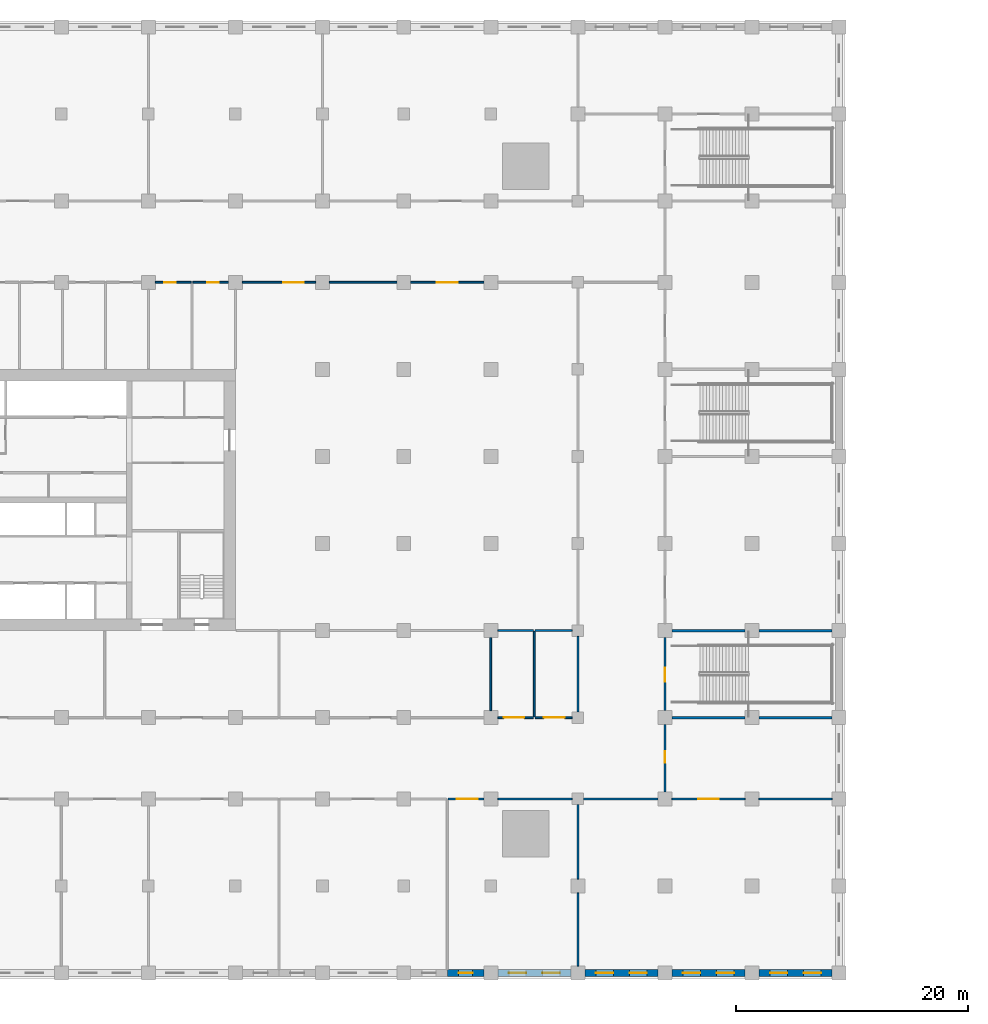
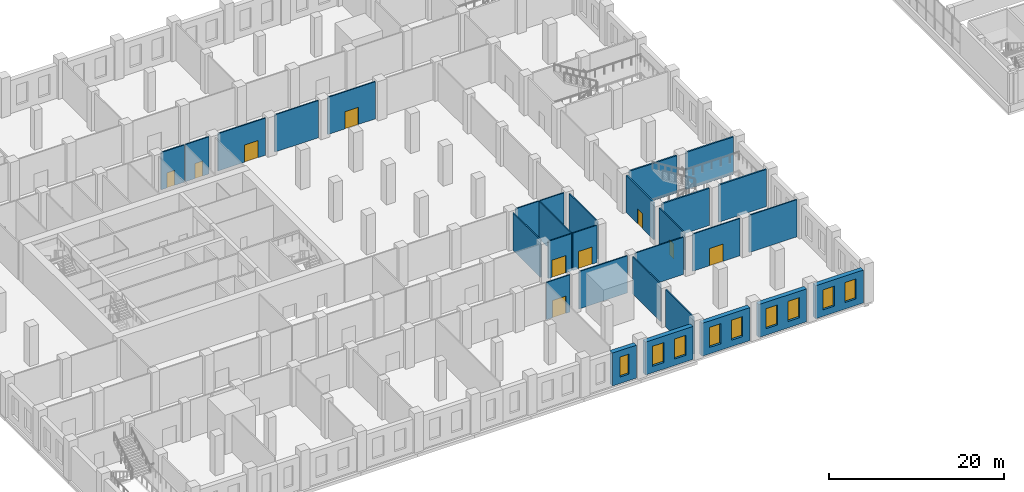
# One storey, part 10 of 35: 30 walls, 10 doors, 9 windows, 19 openings.
"""IFC4 building model written with IfcOpenShell, lengths in metres."""

import ifcopenshell
import ifcopenshell.guid

model = None  # the IFC model being written
_history = None  # IfcOwnerHistory: only IFC2X3 demands one
_inside = {}  # id of a spatial element -> (the spatial element, [elements in it])
_under = {}  # id of a project, library or spatial element -> (it, [spatial elements below it])
_declared = {}  # id of a project -> (the project, [libraries it declares])
_typed = {}  # id of a type object -> (the type object, [elements of that type])
_made_of = {}  # id of a material, layer set ... -> (it, [elements and type objects made of it])


def new_model(schema):
    """Start an empty IFC model of exactly this schema.

    Asked for "IFC4X3", IfcOpenShell would pick the latest addendum, in which some entities
    have other attributes; the version numbers below select the first issue.
    IFC2X3 requires an IfcOwnerHistory on every rooted entity: one is made here for all.
    """
    global model, _history
    if schema == "IFC4X3":
        model = ifcopenshell.file(schema_version=(4, 3, 0, 0))
    else:
        model = ifcopenshell.file(schema=schema)
    _inside.clear()
    _under.clear()
    _declared.clear()
    _typed.clear()
    _made_of.clear()
    _history = None
    if model.schema == "IFC2X3":
        org = make("IfcOrganization", Name="unknown")
        user = make(
            "IfcPersonAndOrganization",
            ThePerson=make("IfcPerson", FamilyName="unknown"),
            TheOrganization=org,
        )
        app = make(
            "IfcApplication",
            ApplicationDeveloper=org,
            Version="unknown",
            ApplicationFullName="unknown",
            ApplicationIdentifier="unknown",
        )
        _history = make(
            "IfcOwnerHistory",
            OwningUser=user,
            OwningApplication=app,
            ChangeAction="ADDED",
            CreationDate=0,
        )
    return model


def make(cls, **values):
    """One entity of the class cls with the attributes given. An attribute that is None is left unset."""
    return model.create_entity(
        cls, **{name: value for name, value in values.items() if value is not None}
    )


def rooted(cls, **values):
    """An entity with a GlobalId (a new one), such as an element, a storey or a relation."""
    return make(cls, GlobalId=ifcopenshell.guid.new(), OwnerHistory=_history, **values)


def si_unit(unit_type, name, prefix=None):
    """IfcSIUnit, for example si_unit("LENGTHUNIT", "METRE", prefix="MILLI")."""
    return make("IfcSIUnit", UnitType=unit_type, Prefix=prefix, Name=name)


def assignment(units):
    """IfcUnitAssignment: the units of a project."""
    return None if units is None else make("IfcUnitAssignment", Units=units)


def point(xyz):
    """IfcCartesianPoint."""
    return None if xyz is None else make("IfcCartesianPoint", Coordinates=xyz)


def direction(xyz):
    """IfcDirection."""
    return None if xyz is None else make("IfcDirection", DirectionRatios=xyz)


def frame(location, z_axis=None, x_axis=None):
    """IfcAxis2Placement3D, a coordinate frame: its origin and axes. An axis left out is left unset."""
    return make(
        "IfcAxis2Placement3D",
        Location=point(location),
        Axis=direction(z_axis),
        RefDirection=direction(x_axis),
    )


def frame_2d(location, x_axis=None):
    """IfcAxis2Placement2D, a coordinate frame in the plane: its origin and x axis."""
    return make(
        "IfcAxis2Placement2D", Location=point(location), RefDirection=direction(x_axis)
    )


def origin():
    """The frame at (0, 0, 0) with its axes left unset."""
    return frame((0.0, 0.0, 0.0))


def place(relative_to, where):
    """IfcLocalPlacement: puts the frame where relative to a parent placement (None: the world)."""
    return make(
        "IfcLocalPlacement", PlacementRelTo=relative_to, RelativePlacement=where
    )


def context(
    kind, dimensions, precision=None, world=None, true_north=None, identifier=None
):
    """IfcGeometricRepresentationContext, for example the 3D "Model" context."""
    return make(
        "IfcGeometricRepresentationContext",
        ContextIdentifier=identifier,
        ContextType=kind,
        CoordinateSpaceDimension=dimensions,
        Precision=precision,
        WorldCoordinateSystem=world,
        TrueNorth=true_north,
    )


def subcontext(parent, identifier, kind, view, scale=None):
    """IfcGeometricRepresentationSubContext, for example "Body" below "Model"."""
    return make(
        "IfcGeometricRepresentationSubContext",
        ContextIdentifier=identifier,
        ContextType=kind,
        ParentContext=parent,
        TargetScale=scale,
        TargetView=view,
    )


def project(units=None, contexts=None):
    """IfcProject with its units and contexts."""
    return rooted(
        "IfcProject",
        Name="project",
        RepresentationContexts=contexts,
        UnitsInContext=assignment(units),
    )


def spatial(cls, under=None, at=None, **own):
    """A site, building, storey or space (cls), placed at a placement, below another one or the project."""
    s = rooted(cls, ObjectPlacement=at, **own)
    if under is not None:
        _under.setdefault(under.id(), (under, []))[1].append(s)
    return s


def profile(cls, at=None, kind="AREA", **sizes):
    """A parametric profile (cls). Its sizes go by their IFC names, for example OverallWidth=200.0."""
    return make(cls, ProfileType=kind, Position=at, **sizes)


def rectangle(**sizes):
    """IfcRectangleProfileDef."""
    return profile("IfcRectangleProfileDef", **sizes)


def extrude(swept, where, along, depth):
    """IfcExtrudedAreaSolid: the profile swept, set in the frame where, extruded along a direction by depth."""
    return make(
        "IfcExtrudedAreaSolid",
        SweptArea=swept,
        Position=where,
        ExtrudedDirection=direction(along),
        Depth=depth,
    )


def shape(context_of_items, identifier, shape_type, items):
    """IfcShapeRepresentation: the items that make up one representation, for example the "Body"."""
    return make(
        "IfcShapeRepresentation",
        ContextOfItems=context_of_items,
        RepresentationIdentifier=identifier,
        RepresentationType=shape_type,
        Items=items,
    )


def material(Name=None, Category=None):
    """IfcMaterial."""
    return make("IfcMaterial", Name=Name, Category=Category)


def layer(
    of_material, thickness, ventilated=None, Name=None, Category=None, Priority=None
):
    """IfcMaterialLayer: one layer of a wall or slab, of a material (None: an air gap)."""
    return make(
        "IfcMaterialLayer",
        Material=of_material,
        LayerThickness=thickness,
        IsVentilated=ventilated,
        Name=Name,
        Category=Category,
        Priority=Priority,
    )


def layer_set(layers, Name=None):
    """IfcMaterialLayerSet."""
    return make("IfcMaterialLayerSet", MaterialLayers=layers, LayerSetName=Name)


def made_of(thing, what):
    """Note that an element or type object is made of a material, layer set ...; save() writes the relation."""
    if what is not None:
        _made_of.setdefault(what.id(), (what, []))[1].append(thing)
    return thing


def type_object(cls, material=None, **own):
    """A type object (cls), such as IfcWallType, which elements share."""
    return made_of(rooted(cls, **own), material)


def element(
    cls,
    number,
    at=None,
    inside=None,
    cuts=None,
    type_object=None,
    material=None,
    context=None,
    identifier="Body",
    shape_type=None,
    held_by="IfcProductDefinitionShape",
    body=None,
    shapes=None,
    **own,
):
    """One element of the class cls, such as IfcWall. Its Tag is "e" and its number.

    at: its placement. inside: the storey or other place that contains it. cuts: it is an
    opening in that element (IfcRelVoidsElement). A single representation is given by context,
    identifier, shape_type and body (its items); several are given by shapes. held_by: the class
    of the entity that holds the representations. save() writes the other relations.
    """
    e = rooted(cls, Tag="e%d" % number, ObjectPlacement=at, **own)
    if body is not None:
        shapes = [shape(context, identifier, shape_type, body)]
    if shapes is not None:
        e.Representation = make(held_by, Representations=shapes)
    if inside is not None:
        _inside.setdefault(inside.id(), (inside, []))[1].append(e)
    if cuts is not None:
        rooted(
            "IfcRelVoidsElement", RelatingBuildingElement=cuts, RelatedOpeningElement=e
        )
    if type_object is not None:
        _typed.setdefault(type_object.id(), (type_object, []))[1].append(e)
    return made_of(e, material)


def fill(opening, filler):
    """IfcRelFillsElement: the door or window that sits in an opening."""
    return rooted(
        "IfcRelFillsElement",
        RelatingOpeningElement=opening,
        RelatedBuildingElement=filler,
    )


def aggregate(whole, parts):
    """IfcRelAggregates: a whole, such as a stair, and the parts it consists of."""
    return rooted("IfcRelAggregates", RelatingObject=whole, RelatedObjects=parts)


def save(model, path):
    """Write the relations noted so far, then the file.

    IfcRelAggregates (storeys below a building ...), IfcRelContainedInSpatialStructure (elements
    in a storey), IfcRelDefinesByType, IfcRelAssociatesMaterial and IfcRelDeclares: one each for
    every whole, place, type object, material and project.
    """
    for whole, parts in _under.values():
        aggregate(whole, parts)
    for where, things in _inside.values():
        rooted(
            "IfcRelContainedInSpatialStructure",
            RelatedElements=things,
            RelatingStructure=where,
        )
    for kind, things in _typed.values():
        rooted("IfcRelDefinesByType", RelatedObjects=things, RelatingType=kind)
    for what, things in _made_of.values():
        rooted("IfcRelAssociatesMaterial", RelatedObjects=things, RelatingMaterial=what)
    for by, libraries in _declared.values():
        rooted("IfcRelDeclares", RelatingContext=by, RelatedDefinitions=libraries)
    model.write(path)


model = new_model("IFC4")

# Units and contexts
model_context = context("Model", 3, precision=1e-05, world=origin(), true_north=direction((0.0, 1.0)))
body_context = subcontext(model_context, "Body", "Model", "MODEL_VIEW")
ifc_project = project(units=[si_unit("LENGTHUNIT", "METRE"), si_unit("AREAUNIT", "SQUARE_METRE"), si_unit("VOLUMEUNIT", "CUBIC_METRE"), si_unit("PLANEANGLEUNIT", "RADIAN"), si_unit("MASSUNIT", "GRAM", prefix="KILO")], contexts=[model_context])

# Site, building, storey
site_placement = place(None, origin())
site = spatial("IfcSite", under=ifc_project, at=site_placement, CompositionType="ELEMENT")
building_placement = place(site_placement, origin())
building = spatial("IfcBuilding", under=site, at=building_placement, Name="Tamorin Gate", CompositionType="ELEMENT")
storey_placement = place(building_placement, frame((0.0, 0.0, 8.0)))
storey = spatial("IfcBuildingStorey", under=building, at=storey_placement, Name="L01", CompositionType="ELEMENT", Elevation=8.0)

# Wall, opening, door
ifc_material_1 = material(Name="Concrete masonry C20/25", Category="masonry")
ifc_layer_1 = layer(ifc_material_1, 0.14990234375)
ifc_layer_set_1 = layer_set([ifc_layer_1], Name="Partition 150")
wall_type_1 = type_object("IfcWallType", Name="Partition 150", PredefinedType="PARTITIONING", material=ifc_layer_set_1)
wall_1_placement = place(storey_placement, frame((78.324951171875, 45.5, 0.0), z_axis=(0.0, 0.0, 1.0), x_axis=(1.0, 0.0, 0.0)))
wall_1 = element("IfcWall", 1, at=wall_1_placement, inside=storey, type_object=wall_type_1, Name="Partition 150 L01", PredefinedType="PARTITIONING", context=body_context, shape_type="SweptSolid", body=[
    extrude(rectangle(XDim=3.074951171875, YDim=0.14990234375, at=frame_2d((1.53759765625, 0.0))), origin(), (0.0, 0.0, 1.0), 5.199951171875),
])
opening_1_placement = place(wall_1_placement, frame((0.75, 0.0, 0.0)))
opening_1 = element("IfcOpeningElement", 2, at=opening_1_placement, cuts=wall_1, Name="Opening DP3", PredefinedType="OPENING", context=body_context, shape_type="SweptSolid", body=[
    extrude(rectangle(XDim=1.800048828125, YDim=2.39990234375, at=frame_2d((0.89990234375, 1.199951171875))), frame((0.0, 0.0849609375, 0.0), z_axis=(0.0, -1.0, 0.0), x_axis=(1.0, 0.0, 0.0)), (0.0, 0.0, 1.0), 0.169921875),
])
ifc_material_2 = material(Name="Steel and glass", Category="steel")
door_type_1 = type_object("IfcDoorType", Name="Door pair 1800", OperationType="DOUBLE_DOOR_SINGLE_SWING", PredefinedType="DOOR", material=ifc_material_2)
door_1_placement = place(opening_1_placement, origin())
door_1 = element("IfcDoor", 3, at=door_1_placement, inside=storey, type_object=door_type_1, Name="Door pair 1800 L01", OperationType="SINGLE_SWING_LEFT", OverallHeight=2.39990234375, OverallWidth=1.800048828125, PredefinedType="DOOR", context=body_context, shape_type="SweptSolid", body=[
    extrude(rectangle(XDim=1.800048828125, YDim=2.39990234375, at=frame_2d((0.89990234375, 1.199951171875))), frame((0.0, 0.02490234375, 0.0), z_axis=(0.0, -1.0, 0.0), x_axis=(1.0, 0.0, 0.0)), (0.0, 0.0, 1.0), 0.050048828125),
])
fill(opening_1, door_1)

# Walls
for number, where, z_axis, x_axis, name in (
    (4, (82.60009765625, 45.5, 0.0), (0.0, 0.0, 1.0), (1.0, 0.0, 0.0), "Partition 150 L01"),
    (5, (90.0, 45.5, 0.0), (0.0, 0.0, 1.0), (1.0, 0.0, 0.0), "Partition 150 L01"),
):
    element("IfcWall", number, at=place(storey_placement, frame(where, z_axis=z_axis, x_axis=x_axis)), inside=storey, type_object=wall_type_1, Name=name, PredefinedType="PARTITIONING", context=body_context, shape_type="SweptSolid", body=[
        extrude(rectangle(XDim=6.39990234375, YDim=0.14990234375, at=frame_2d((3.199951171875, 0.0))), origin(), (0.0, 0.0, 1.0), 5.199951171875),
    ])

# Wall, opening, door
wall_2_placement = place(storey_placement, frame((97.60009765625, 45.5, 0.0), z_axis=(0.0, 0.0, 1.0), x_axis=(1.0, 0.0, 0.0)))
wall_2 = element("IfcWall", 6, at=wall_2_placement, inside=storey, type_object=wall_type_1, Name="Partition 150 L01", PredefinedType="PARTITIONING", context=body_context, shape_type="SweptSolid", body=[
    extrude(rectangle(XDim=6.2998046875, YDim=0.14990234375, at=frame_2d((3.14990234375, 0.0))), origin(), (0.0, 0.0, 1.0), 5.199951171875),
])
opening_2_placement = place(wall_2_placement, frame((2.25, 0.0, 0.0)))
opening_2 = element("IfcOpeningElement", 7, at=opening_2_placement, cuts=wall_2, Name="Opening DP3", PredefinedType="OPENING", context=body_context, shape_type="SweptSolid", body=[
    extrude(rectangle(XDim=1.800048828125, YDim=2.39990234375, at=frame_2d((0.89990234375, 1.199951171875))), frame((0.0, 0.0849609375, 0.0), z_axis=(0.0, -1.0, 0.0), x_axis=(1.0, 0.0, 0.0)), (0.0, 0.0, 1.0), 0.169921875),
])
door_2_placement = place(opening_2_placement, origin())
door_2 = element("IfcDoor", 8, at=door_2_placement, inside=storey, type_object=door_type_1, Name="Door pair 1800 L01", OperationType="SINGLE_SWING_LEFT", OverallHeight=2.39990234375, OverallWidth=1.800048828125, PredefinedType="DOOR", context=body_context, shape_type="SweptSolid", body=[
    extrude(rectangle(XDim=1.800048828125, YDim=2.39990234375, at=frame_2d((0.89990234375, 1.199951171875))), frame((0.0, 0.02490234375, 0.0), z_axis=(0.0, -1.0, 0.0), x_axis=(1.0, 0.0, 0.0)), (0.0, 0.0, 1.0), 0.050048828125),
])
fill(opening_2, door_2)

# Wall
wall_3_placement = place(storey_placement, frame((105.10009765625, 45.5, 0.0), z_axis=(0.0, 0.0, 1.0), x_axis=(1.0, 0.0, 0.0)))
element("IfcWall", 9, at=wall_3_placement, inside=storey, type_object=wall_type_1, Name="Partition 150 L01", PredefinedType="PARTITIONING", context=body_context, shape_type="SweptSolid", body=[
    extrude(rectangle(XDim=6.2998046875, YDim=0.14990234375, at=frame_2d((3.14990234375, 0.0))), origin(), (0.0, 0.0, 1.0), 5.199951171875),
])

# Wall, opening, door
wall_4_placement = place(storey_placement, frame((85.675048828125, 52.5, 0.0), z_axis=(0.0, 0.0, 1.0), x_axis=(-1.0, 0.0, 0.0)))
wall_4 = element("IfcWall", 10, at=wall_4_placement, inside=storey, type_object=wall_type_1, Name="Partition 150 L01", PredefinedType="PARTITIONING", context=body_context, shape_type="SweptSolid", body=[
    extrude(rectangle(XDim=3.074951171875, YDim=0.14990234375, at=frame_2d((1.53759765625, 0.0))), origin(), (0.0, 0.0, 1.0), 5.199951171875),
])
opening_3_placement = place(wall_4_placement, frame((0.77490234375, 0.0, 0.0)))
opening_3 = element("IfcOpeningElement", 11, at=opening_3_placement, cuts=wall_4, Name="Opening DP3", PredefinedType="OPENING", context=body_context, shape_type="SweptSolid", body=[
    extrude(rectangle(XDim=1.800048828125, YDim=2.39990234375, at=frame_2d((0.89990234375, 1.199951171875))), frame((0.0, 0.0849609375, 0.0), z_axis=(0.0, -1.0, 0.0), x_axis=(1.0, 0.0, 0.0)), (0.0, 0.0, 1.0), 0.169921875),
])
door_3_placement = place(opening_3_placement, origin())
door_3 = element("IfcDoor", 12, at=door_3_placement, inside=storey, type_object=door_type_1, Name="Door pair 1800 L01", OperationType="SINGLE_SWING_LEFT", OverallHeight=2.39990234375, OverallWidth=1.800048828125, PredefinedType="DOOR", context=body_context, shape_type="SweptSolid", body=[
    extrude(rectangle(XDim=1.800048828125, YDim=2.39990234375, at=frame_2d((0.89990234375, 1.199951171875))), frame((0.0, 0.02490234375, 0.0), z_axis=(0.0, -1.0, 0.0), x_axis=(1.0, 0.0, 0.0)), (0.0, 0.0, 1.0), 0.050048828125),
])
fill(opening_3, door_3)

wall_5_placement = place(storey_placement, frame((89.0, 52.5, 0.0), z_axis=(0.0, 0.0, 1.0), x_axis=(-1.0, 0.0, 0.0)))
wall_5 = element("IfcWall", 13, at=wall_5_placement, inside=storey, type_object=wall_type_1, Name="Partition 150 L01", PredefinedType="PARTITIONING", context=body_context, shape_type="SweptSolid", body=[
    extrude(rectangle(XDim=3.175048828125, YDim=0.14990234375, at=frame_2d((1.58740234375, 0.0))), origin(), (0.0, 0.0, 1.0), 5.199951171875),
])
opening_4_placement = place(wall_5_placement, frame((0.625, 0.0, 0.0)))
opening_4 = element("IfcOpeningElement", 14, at=opening_4_placement, cuts=wall_5, Name="Opening DP3", PredefinedType="OPENING", context=body_context, shape_type="SweptSolid", body=[
    extrude(rectangle(XDim=1.800048828125, YDim=2.39990234375, at=frame_2d((0.89990234375, 1.199951171875))), frame((0.0, 0.0849609375, 0.0), z_axis=(0.0, -1.0, 0.0), x_axis=(1.0, 0.0, 0.0)), (0.0, 0.0, 1.0), 0.169921875),
])
door_4_placement = place(opening_4_placement, origin())
door_4 = element("IfcDoor", 15, at=door_4_placement, inside=storey, type_object=door_type_1, Name="Door pair 1800 L01", OperationType="SINGLE_SWING_LEFT", OverallHeight=2.39990234375, OverallWidth=1.800048828125, PredefinedType="DOOR", context=body_context, shape_type="SweptSolid", body=[
    extrude(rectangle(XDim=1.800048828125, YDim=2.39990234375, at=frame_2d((0.89990234375, 1.199951171875))), frame((0.0, 0.02490234375, 0.0), z_axis=(0.0, -1.0, 0.0), x_axis=(1.0, 0.0, 0.0)), (0.0, 0.0, 1.0), 0.050048828125),
])
fill(opening_4, door_4)

# Walls
wall_6_placement = place(storey_placement, frame((82.60009765625, 60.0, 0.0), z_axis=(0.0, 0.0, 1.0), x_axis=(1.0, 0.0, 0.0)))
element("IfcWall", 16, at=wall_6_placement, inside=storey, type_object=wall_type_1, Name="Partition 150 L01", PredefinedType="PARTITIONING", context=body_context, shape_type="SweptSolid", body=[
    extrude(rectangle(XDim=3.074951171875, YDim=0.14990234375, at=frame_2d((1.53759765625, 0.0))), origin(), (0.0, 0.0, 1.0), 5.199951171875),
])
wall_7_placement = place(storey_placement, frame((85.824951171875, 60.0, 0.0), z_axis=(0.0, 0.0, 1.0), x_axis=(1.0, 0.0, 0.0)))
element("IfcWall", 17, at=wall_7_placement, inside=storey, type_object=wall_type_1, Name="Partition 150 L01", PredefinedType="PARTITIONING", context=body_context, shape_type="SweptSolid", body=[
    extrude(rectangle(XDim=3.175048828125, YDim=0.14990234375, at=frame_2d((1.58740234375, 0.0))), origin(), (0.0, 0.0, 1.0), 5.199951171875),
])

# Wall, opening, door
wall_8_placement = place(storey_placement, frame((53.10009765625, 90.0, 0.0), z_axis=(0.0, 0.0, 1.0), x_axis=(1.0, 0.0, 0.0)))
wall_8 = element("IfcWall", 18, at=wall_8_placement, inside=storey, type_object=wall_type_1, Name="Partition 150 L01", PredefinedType="PARTITIONING", context=body_context, shape_type="SweptSolid", body=[
    extrude(rectangle(XDim=3.074951171875, YDim=0.14990234375, at=frame_2d((1.53759765625, 0.0))), origin(), (0.0, 0.0, 1.0), 5.199951171875),
])
opening_5_placement = place(wall_8_placement, frame((0.75, 0.0, 0.0)))
opening_5 = element("IfcOpeningElement", 19, at=opening_5_placement, cuts=wall_8, Name="Opening DP2", PredefinedType="OPENING", context=body_context, shape_type="SweptSolid", body=[
    extrude(rectangle(XDim=1.0, YDim=2.10009765625, at=frame_2d((0.5, 1.050048828125))), frame((0.0, 0.0849609375, 0.0), z_axis=(0.0, -1.0, 0.0), x_axis=(1.0, 0.0, 0.0)), (0.0, 0.0, 1.0), 0.169921875),
])
ifc_material_3 = material(Name="Painted steel", Category="steel")
door_type_2 = type_object("IfcDoorType", Name="Door single 1000", OperationType="SINGLE_SWING_LEFT", PredefinedType="DOOR", material=ifc_material_3)
door_5_placement = place(opening_5_placement, origin())
door_5 = element("IfcDoor", 20, at=door_5_placement, inside=storey, type_object=door_type_2, Name="Door single 1000 L01", OperationType="SINGLE_SWING_LEFT", OverallHeight=2.10009765625, OverallWidth=1.0, PredefinedType="DOOR", context=body_context, shape_type="SweptSolid", body=[
    extrude(rectangle(XDim=1.0, YDim=2.10009765625, at=frame_2d((0.5, 1.050048828125))), frame((0.0, 0.02490234375, 0.0), z_axis=(0.0, -1.0, 0.0), x_axis=(1.0, 0.0, 0.0)), (0.0, 0.0, 1.0), 0.050048828125),
])
fill(opening_5, door_5)

wall_9_placement = place(storey_placement, frame((56.324951171875, 90.0, 0.0), z_axis=(0.0, 0.0, 1.0), x_axis=(1.0, 0.0, 0.0)))
wall_9 = element("IfcWall", 21, at=wall_9_placement, inside=storey, type_object=wall_type_1, Name="Partition 150 L01", PredefinedType="PARTITIONING", context=body_context, shape_type="SweptSolid", body=[
    extrude(rectangle(XDim=3.074951171875, YDim=0.14990234375, at=frame_2d((1.53759765625, 0.0))), origin(), (0.0, 0.0, 1.0), 5.199951171875),
])
opening_6_placement = place(wall_9_placement, frame((1.25, 0.0, 0.0)))
opening_6 = element("IfcOpeningElement", 22, at=opening_6_placement, cuts=wall_9, Name="Opening DP2", PredefinedType="OPENING", context=body_context, shape_type="SweptSolid", body=[
    extrude(rectangle(XDim=1.0, YDim=2.10009765625, at=frame_2d((0.5, 1.050048828125))), frame((0.0, 0.0849609375, 0.0), z_axis=(0.0, -1.0, 0.0), x_axis=(1.0, 0.0, 0.0)), (0.0, 0.0, 1.0), 0.169921875),
])
door_6_placement = place(opening_6_placement, origin())
door_6 = element("IfcDoor", 23, at=door_6_placement, inside=storey, type_object=door_type_2, Name="Door single 1000 L01", OperationType="SINGLE_SWING_LEFT", OverallHeight=2.10009765625, OverallWidth=1.0, PredefinedType="DOOR", context=body_context, shape_type="SweptSolid", body=[
    extrude(rectangle(XDim=1.0, YDim=2.10009765625, at=frame_2d((0.5, 1.050048828125))), frame((0.0, 0.02490234375, 0.0), z_axis=(0.0, -1.0, 0.0), x_axis=(1.0, 0.0, 0.0)), (0.0, 0.0, 1.0), 0.050048828125),
])
fill(opening_6, door_6)

wall_10_placement = place(storey_placement, frame((60.60009765625, 90.0, 0.0), z_axis=(0.0, 0.0, 1.0), x_axis=(1.0, 0.0, 0.0)))
wall_10 = element("IfcWall", 24, at=wall_10_placement, inside=storey, type_object=wall_type_1, Name="Partition 150 L01", PredefinedType="PARTITIONING", context=body_context, shape_type="SweptSolid", body=[
    extrude(rectangle(XDim=6.2998046875, YDim=0.14990234375, at=frame_2d((3.14990234375, 0.0))), origin(), (0.0, 0.0, 1.0), 5.199951171875),
])
opening_7_placement = place(wall_10_placement, frame((3.5, 0.0, 0.0)))
opening_7 = element("IfcOpeningElement", 25, at=opening_7_placement, cuts=wall_10, Name="Opening DP3", PredefinedType="OPENING", context=body_context, shape_type="SweptSolid", body=[
    extrude(rectangle(XDim=1.800048828125, YDim=2.39990234375, at=frame_2d((0.89990234375, 1.199951171875))), frame((0.0, 0.0849609375, 0.0), z_axis=(0.0, -1.0, 0.0), x_axis=(1.0, 0.0, 0.0)), (0.0, 0.0, 1.0), 0.169921875),
])
door_7_placement = place(opening_7_placement, origin())
door_7 = element("IfcDoor", 26, at=door_7_placement, inside=storey, type_object=door_type_1, Name="Door pair 1800 L01", OperationType="SINGLE_SWING_LEFT", OverallHeight=2.39990234375, OverallWidth=1.800048828125, PredefinedType="DOOR", context=body_context, shape_type="SweptSolid", body=[
    extrude(rectangle(XDim=1.800048828125, YDim=2.39990234375, at=frame_2d((0.89990234375, 1.199951171875))), frame((0.0, 0.02490234375, 0.0), z_axis=(0.0, -1.0, 0.0), x_axis=(1.0, 0.0, 0.0)), (0.0, 0.0, 1.0), 0.050048828125),
])
fill(opening_7, door_7)

# Wall
wall_11_placement = place(storey_placement, frame((68.10009765625, 90.0, 0.0), z_axis=(0.0, 0.0, 1.0), x_axis=(1.0, 0.0, 0.0)))
element("IfcWall", 27, at=wall_11_placement, inside=storey, type_object=wall_type_1, Name="Partition 150 L01", PredefinedType="PARTITIONING", context=body_context, shape_type="SweptSolid", body=[
    extrude(rectangle(XDim=5.7998046875, YDim=0.14990234375, at=frame_2d((2.89990234375, 0.0))), origin(), (0.0, 0.0, 1.0), 5.199951171875),
])

# Wall, opening, door
wall_12_placement = place(storey_placement, frame((75.10009765625, 90.0, 0.0), z_axis=(0.0, 0.0, 1.0), x_axis=(1.0, 0.0, 0.0)))
wall_12 = element("IfcWall", 28, at=wall_12_placement, inside=storey, type_object=wall_type_1, Name="Partition 150 L01", PredefinedType="PARTITIONING", context=body_context, shape_type="SweptSolid", body=[
    extrude(rectangle(XDim=6.2998046875, YDim=0.14990234375, at=frame_2d((3.14990234375, 0.0))), origin(), (0.0, 0.0, 1.0), 5.199951171875),
])
opening_8_placement = place(wall_12_placement, frame((2.25, 0.0, 0.0)))
opening_8 = element("IfcOpeningElement", 29, at=opening_8_placement, cuts=wall_12, Name="Opening DP3", PredefinedType="OPENING", context=body_context, shape_type="SweptSolid", body=[
    extrude(rectangle(XDim=1.800048828125, YDim=2.39990234375, at=frame_2d((0.89990234375, 1.199951171875))), frame((0.0, 0.0849609375, 0.0), z_axis=(0.0, -1.0, 0.0), x_axis=(1.0, 0.0, 0.0)), (0.0, 0.0, 1.0), 0.169921875),
])
door_8_placement = place(opening_8_placement, origin())
door_8 = element("IfcDoor", 30, at=door_8_placement, inside=storey, type_object=door_type_1, Name="Door pair 1800 L01", OperationType="SINGLE_SWING_LEFT", OverallHeight=2.39990234375, OverallWidth=1.800048828125, PredefinedType="DOOR", context=body_context, shape_type="SweptSolid", body=[
    extrude(rectangle(XDim=1.800048828125, YDim=2.39990234375, at=frame_2d((0.89990234375, 1.199951171875))), frame((0.0, 0.02490234375, 0.0), z_axis=(0.0, -1.0, 0.0), x_axis=(1.0, 0.0, 0.0)), (0.0, 0.0, 1.0), 0.050048828125),
])
fill(opening_8, door_8)

wall_13_placement = place(storey_placement, frame((97.0, 46.10009765625, 0.0), z_axis=(0.0, 0.0, 1.0), x_axis=(0.0, 1.0, 0.0)))
wall_13 = element("IfcWall", 31, at=wall_13_placement, inside=storey, type_object=wall_type_1, Name="Partition 150 L01", PredefinedType="PARTITIONING", context=body_context, shape_type="SweptSolid", body=[
    extrude(rectangle(XDim=5.7998046875, YDim=0.14990234375, at=frame_2d((2.89990234375, 0.0))), origin(), (0.0, 0.0, 1.0), 5.199951171875),
])
opening_9_placement = place(wall_13_placement, frame((2.5, 0.0, 0.0)))
opening_9 = element("IfcOpeningElement", 32, at=opening_9_placement, cuts=wall_13, Name="Opening DP2", PredefinedType="OPENING", context=body_context, shape_type="SweptSolid", body=[
    extrude(rectangle(XDim=1.0, YDim=2.10009765625, at=frame_2d((0.5, 1.050048828125))), frame((0.0, 0.0849609375, 0.0), z_axis=(0.0, -1.0, 0.0), x_axis=(1.0, 0.0, 0.0)), (0.0, 0.0, 1.0), 0.169921875),
])
door_9_placement = place(opening_9_placement, origin())
door_9 = element("IfcDoor", 33, at=door_9_placement, inside=storey, type_object=door_type_2, Name="Door single 1000 L01", OperationType="SINGLE_SWING_LEFT", OverallHeight=2.10009765625, OverallWidth=1.0, PredefinedType="DOOR", context=body_context, shape_type="SweptSolid", body=[
    extrude(rectangle(XDim=1.0, YDim=2.10009765625, at=frame_2d((0.5, 1.050048828125))), frame((0.0, 0.02490234375, 0.0), z_axis=(0.0, -1.0, 0.0), x_axis=(1.0, 0.0, 0.0)), (0.0, 0.0, 1.0), 0.050048828125),
])
fill(opening_9, door_9)

# Walls
wall_14_placement = place(storey_placement, frame((89.5, 31.10009765625, 0.0), z_axis=(0.0, 0.0, 1.0), x_axis=(0.0, 1.0, 0.0)))
element("IfcWall", 34, at=wall_14_placement, inside=storey, type_object=wall_type_1, Name="Partition 150 L01", PredefinedType="PARTITIONING", context=body_context, shape_type="SweptSolid", body=[
    extrude(rectangle(XDim=6.2998046875, YDim=0.14990234375, at=frame_2d((3.14990234375, 0.0))), origin(), (0.0, 0.0, 1.0), 5.199951171875),
])
wall_15_placement = place(storey_placement, frame((89.5, 38.60009765625, 0.0), z_axis=(0.0, 0.0, 1.0), x_axis=(0.0, 1.0, 0.0)))
element("IfcWall", 35, at=wall_15_placement, inside=storey, type_object=wall_type_1, Name="Partition 150 L01", PredefinedType="PARTITIONING", context=body_context, shape_type="SweptSolid", body=[
    extrude(rectangle(XDim=6.39990234375, YDim=0.14990234375, at=frame_2d((3.199951171875, 0.0))), origin(), (0.0, 0.0, 1.0), 5.199951171875),
])
wall_16_placement = place(storey_placement, frame((89.5, 53.0, 0.0), z_axis=(0.0, 0.0, 1.0), x_axis=(0.0, 1.0, 0.0)))
element("IfcWall", 36, at=wall_16_placement, inside=storey, type_object=wall_type_1, Name="Partition 150 L01", PredefinedType="PARTITIONING", context=body_context, shape_type="SweptSolid", body=[
    extrude(rectangle(XDim=6.5, YDim=0.14990234375, at=frame_2d((3.25, 0.0))), origin(), (0.0, 0.0, 1.0), 5.199951171875),
])
wall_17_placement = place(storey_placement, frame((82.0, 53.10009765625, 0.0), z_axis=(0.0, 0.0, 1.0), x_axis=(0.0, 1.0, 0.0)))
element("IfcWall", 37, at=wall_17_placement, inside=storey, type_object=wall_type_1, Name="Partition 150 L01", PredefinedType="PARTITIONING", context=body_context, shape_type="SweptSolid", body=[
    extrude(rectangle(XDim=6.2998046875, YDim=0.14990234375, at=frame_2d((3.14990234375, 0.0))), origin(), (0.0, 0.0, 1.0), 5.199951171875),
])
wall_18_placement = place(storey_placement, frame((85.75, 52.574951171875, 0.0), z_axis=(0.0, 0.0, 1.0), x_axis=(0.0, 1.0, 0.0)))
element("IfcWall", 38, at=wall_18_placement, inside=storey, type_object=wall_type_1, Name="Partition 150 L01", PredefinedType="PARTITIONING", context=body_context, shape_type="SweptSolid", body=[
    extrude(rectangle(XDim=7.35009765625, YDim=0.14990234375, at=frame_2d((3.675048828125, 0.0))), origin(), (0.0, 0.0, 1.0), 5.199951171875),
])

# Wall, opening, window
ifc_material_4 = material(Name="Precast concrete C40/50", Category="concrete")
ifc_layer_2 = layer(ifc_material_4, 0.60009765625)
ifc_layer_set_2 = layer_set([ifc_layer_2], Name="Precast concrete C40/50")
wall_type_2 = type_object("IfcWallType", Name="Precast plinth wall 600", PredefinedType="PARTITIONING", material=ifc_layer_set_2)
wall_19_placement = place(storey_placement, frame((78.25, 30.5, 0.0), z_axis=(0.0, 0.0, 1.0), x_axis=(1.0, 0.0, 0.0)))
wall_19 = element("IfcWall", 39, at=wall_19_placement, inside=storey, type_object=wall_type_2, Name="Precast plinth wall 600 L01", PredefinedType="PARTITIONING", context=body_context, shape_type="SweptSolid", body=[
    extrude(rectangle(XDim=3.14990234375, YDim=0.60009765625, at=frame_2d((1.574951171875, 0.0))), origin(), (0.0, 0.0, 1.0), 4.60009765625),
])
opening_10_placement = place(wall_19_placement, frame((0.97509765625, 0.0, 0.89990234375)))
opening_10 = element("IfcOpeningElement", 40, at=opening_10_placement, cuts=wall_19, Name="Opening PWN4", PredefinedType="OPENING", context=body_context, shape_type="SweptSolid", body=[
    extrude(rectangle(XDim=1.199951171875, YDim=2.800048828125, at=frame_2d((0.60009765625, 1.39990234375))), frame((0.0, 0.31005859375, 0.0), z_axis=(0.0, -1.0, 0.0), x_axis=(1.0, 0.0, 0.0)), (0.0, 0.0, 1.0), 0.6201171875),
])
ifc_material_5 = material(Name="Aluminium and glass", Category="aluminium")
window_type_1 = type_object("IfcWindowType", Name="Plinth window 1200x2800", PartitioningType="DOUBLE_PANEL_VERTICAL", PredefinedType="WINDOW", material=ifc_material_5)
window_1_placement = place(opening_10_placement, origin())
window_1 = element("IfcWindow", 41, at=window_1_placement, inside=storey, type_object=window_type_1, Name="Plinth window 1200x2800", OverallHeight=2.800048828125, OverallWidth=1.199951171875, PartitioningType="SINGLE_PANEL", PredefinedType="WINDOW", context=body_context, shape_type="SweptSolid", body=[
    extrude(rectangle(XDim=1.199951171875, YDim=2.800048828125, at=frame_2d((0.60009765625, 1.39990234375))), frame((0.0, 0.030029296875, 0.0), z_axis=(0.0, -1.0, 0.0), x_axis=(1.0, 0.0, 0.0)), (0.0, 0.0, 1.0), 0.06005859375),
])
fill(opening_10, window_1)

# Wall, openings, windows
wall_20_placement = place(storey_placement, frame((82.60009765625, 30.5, 0.0), z_axis=(0.0, 0.0, 1.0), x_axis=(1.0, 0.0, 0.0)))
wall_20 = element("IfcWall", 42, at=wall_20_placement, inside=storey, type_object=wall_type_2, Name="Precast plinth wall 600 L01", PredefinedType="PARTITIONING", context=body_context, shape_type="SweptSolid", body=[
    extrude(rectangle(XDim=6.2998046875, YDim=0.60009765625, at=frame_2d((3.14990234375, 0.0))), origin(), (0.0, 0.0, 1.0), 4.60009765625),
])
opening_11_placement = place(wall_20_placement, frame((0.950927734375, 0.0, 0.89990234375)))
opening_11 = element("IfcOpeningElement", 43, at=opening_11_placement, cuts=wall_20, Name="Opening PWN5", PredefinedType="OPENING", context=body_context, shape_type="SweptSolid", body=[
    extrude(rectangle(XDim=1.5, YDim=2.800048828125, at=frame_2d((0.75, 1.39990234375))), frame((0.0, 0.31005859375, 0.0), z_axis=(0.0, -1.0, 0.0), x_axis=(1.0, 0.0, 0.0)), (0.0, 0.0, 1.0), 0.6201171875),
])
opening_12_placement = place(wall_20_placement, frame((3.84912109375, 0.0, 0.89990234375)))
opening_12 = element("IfcOpeningElement", 44, at=opening_12_placement, cuts=wall_20, Name="Opening PWN5", PredefinedType="OPENING", context=body_context, shape_type="SweptSolid", body=[
    extrude(rectangle(XDim=1.5, YDim=2.800048828125, at=frame_2d((0.75, 1.39990234375))), frame((0.0, 0.31005859375, 0.0), z_axis=(0.0, -1.0, 0.0), x_axis=(1.0, 0.0, 0.0)), (0.0, 0.0, 1.0), 0.6201171875),
])
window_type_2 = type_object("IfcWindowType", Name="Plinth window 1500x2800", PartitioningType="DOUBLE_PANEL_VERTICAL", PredefinedType="WINDOW", material=ifc_material_5)
window_2_placement = place(opening_11_placement, origin())
window_2 = element("IfcWindow", 45, at=window_2_placement, inside=storey, type_object=window_type_2, Name="Plinth window 1500x2800", OverallHeight=2.800048828125, OverallWidth=1.5, PartitioningType="SINGLE_PANEL", PredefinedType="WINDOW", context=body_context, shape_type="SweptSolid", body=[
    extrude(rectangle(XDim=1.5, YDim=2.800048828125, at=frame_2d((0.75, 1.39990234375))), frame((0.0, 0.030029296875, 0.0), z_axis=(0.0, -1.0, 0.0), x_axis=(1.0, 0.0, 0.0)), (0.0, 0.0, 1.0), 0.06005859375),
])
fill(opening_11, window_2)
window_3_placement = place(opening_12_placement, origin())
window_3 = element("IfcWindow", 46, at=window_3_placement, inside=storey, type_object=window_type_2, Name="Plinth window 1500x2800", OverallHeight=2.800048828125, OverallWidth=1.5, PartitioningType="SINGLE_PANEL", PredefinedType="WINDOW", context=body_context, shape_type="SweptSolid", body=[
    extrude(rectangle(XDim=1.5, YDim=2.800048828125, at=frame_2d((0.75, 1.39990234375))), frame((0.0, 0.030029296875, 0.0), z_axis=(0.0, -1.0, 0.0), x_axis=(1.0, 0.0, 0.0)), (0.0, 0.0, 1.0), 0.06005859375),
])
fill(opening_12, window_3)

wall_21_placement = place(storey_placement, frame((90.10009765625, 30.5, 0.0), z_axis=(0.0, 0.0, 1.0), x_axis=(1.0, 0.0, 0.0)))
wall_21 = element("IfcWall", 47, at=wall_21_placement, inside=storey, type_object=wall_type_2, Name="Precast plinth wall 600 L01", PredefinedType="PARTITIONING", context=body_context, shape_type="SweptSolid", body=[
    extrude(rectangle(XDim=6.2998046875, YDim=0.60009765625, at=frame_2d((3.14990234375, 0.0))), origin(), (0.0, 0.0, 1.0), 4.60009765625),
])
opening_13_placement = place(wall_21_placement, frame((0.950927734375, 0.0, 0.89990234375)))
opening_13 = element("IfcOpeningElement", 48, at=opening_13_placement, cuts=wall_21, Name="Opening PWN5", PredefinedType="OPENING", context=body_context, shape_type="SweptSolid", body=[
    extrude(rectangle(XDim=1.5, YDim=2.800048828125, at=frame_2d((0.75, 1.39990234375))), frame((0.0, 0.31005859375, 0.0), z_axis=(0.0, -1.0, 0.0), x_axis=(1.0, 0.0, 0.0)), (0.0, 0.0, 1.0), 0.6201171875),
])
opening_14_placement = place(wall_21_placement, frame((3.84912109375, 0.0, 0.89990234375)))
opening_14 = element("IfcOpeningElement", 49, at=opening_14_placement, cuts=wall_21, Name="Opening PWN5", PredefinedType="OPENING", context=body_context, shape_type="SweptSolid", body=[
    extrude(rectangle(XDim=1.5, YDim=2.800048828125, at=frame_2d((0.75, 1.39990234375))), frame((0.0, 0.31005859375, 0.0), z_axis=(0.0, -1.0, 0.0), x_axis=(1.0, 0.0, 0.0)), (0.0, 0.0, 1.0), 0.6201171875),
])
window_4_placement = place(opening_13_placement, origin())
window_4 = element("IfcWindow", 50, at=window_4_placement, inside=storey, type_object=window_type_2, Name="Plinth window 1500x2800", OverallHeight=2.800048828125, OverallWidth=1.5, PartitioningType="SINGLE_PANEL", PredefinedType="WINDOW", context=body_context, shape_type="SweptSolid", body=[
    extrude(rectangle(XDim=1.5, YDim=2.800048828125, at=frame_2d((0.75, 1.39990234375))), frame((0.0, 0.030029296875, 0.0), z_axis=(0.0, -1.0, 0.0), x_axis=(1.0, 0.0, 0.0)), (0.0, 0.0, 1.0), 0.06005859375),
])
fill(opening_13, window_4)
window_5_placement = place(opening_14_placement, origin())
window_5 = element("IfcWindow", 51, at=window_5_placement, inside=storey, type_object=window_type_2, Name="Plinth window 1500x2800", OverallHeight=2.800048828125, OverallWidth=1.5, PartitioningType="SINGLE_PANEL", PredefinedType="WINDOW", context=body_context, shape_type="SweptSolid", body=[
    extrude(rectangle(XDim=1.5, YDim=2.800048828125, at=frame_2d((0.75, 1.39990234375))), frame((0.0, 0.030029296875, 0.0), z_axis=(0.0, -1.0, 0.0), x_axis=(1.0, 0.0, 0.0)), (0.0, 0.0, 1.0), 0.06005859375),
])
fill(opening_14, window_5)

wall_22_placement = place(storey_placement, frame((97.60009765625, 30.5, 0.0), z_axis=(0.0, 0.0, 1.0), x_axis=(1.0, 0.0, 0.0)))
wall_22 = element("IfcWall", 52, at=wall_22_placement, inside=storey, type_object=wall_type_2, Name="Precast plinth wall 600 L01", PredefinedType="PARTITIONING", context=body_context, shape_type="SweptSolid", body=[
    extrude(rectangle(XDim=6.2998046875, YDim=0.60009765625, at=frame_2d((3.14990234375, 0.0))), origin(), (0.0, 0.0, 1.0), 4.60009765625),
])
opening_15_placement = place(wall_22_placement, frame((0.950927734375, 0.0, 0.89990234375)))
opening_15 = element("IfcOpeningElement", 53, at=opening_15_placement, cuts=wall_22, Name="Opening PWN5", PredefinedType="OPENING", context=body_context, shape_type="SweptSolid", body=[
    extrude(rectangle(XDim=1.5, YDim=2.800048828125, at=frame_2d((0.75, 1.39990234375))), frame((0.0, 0.31005859375, 0.0), z_axis=(0.0, -1.0, 0.0), x_axis=(1.0, 0.0, 0.0)), (0.0, 0.0, 1.0), 0.6201171875),
])
opening_16_placement = place(wall_22_placement, frame((3.84912109375, 0.0, 0.89990234375)))
opening_16 = element("IfcOpeningElement", 54, at=opening_16_placement, cuts=wall_22, Name="Opening PWN5", PredefinedType="OPENING", context=body_context, shape_type="SweptSolid", body=[
    extrude(rectangle(XDim=1.5, YDim=2.800048828125, at=frame_2d((0.75, 1.39990234375))), frame((0.0, 0.31005859375, 0.0), z_axis=(0.0, -1.0, 0.0), x_axis=(1.0, 0.0, 0.0)), (0.0, 0.0, 1.0), 0.6201171875),
])
window_6_placement = place(opening_15_placement, origin())
window_6 = element("IfcWindow", 55, at=window_6_placement, inside=storey, type_object=window_type_2, Name="Plinth window 1500x2800", OverallHeight=2.800048828125, OverallWidth=1.5, PartitioningType="SINGLE_PANEL", PredefinedType="WINDOW", context=body_context, shape_type="SweptSolid", body=[
    extrude(rectangle(XDim=1.5, YDim=2.800048828125, at=frame_2d((0.75, 1.39990234375))), frame((0.0, 0.030029296875, 0.0), z_axis=(0.0, -1.0, 0.0), x_axis=(1.0, 0.0, 0.0)), (0.0, 0.0, 1.0), 0.06005859375),
])
fill(opening_15, window_6)
window_7_placement = place(opening_16_placement, origin())
window_7 = element("IfcWindow", 56, at=window_7_placement, inside=storey, type_object=window_type_2, Name="Plinth window 1500x2800", OverallHeight=2.800048828125, OverallWidth=1.5, PartitioningType="SINGLE_PANEL", PredefinedType="WINDOW", context=body_context, shape_type="SweptSolid", body=[
    extrude(rectangle(XDim=1.5, YDim=2.800048828125, at=frame_2d((0.75, 1.39990234375))), frame((0.0, 0.030029296875, 0.0), z_axis=(0.0, -1.0, 0.0), x_axis=(1.0, 0.0, 0.0)), (0.0, 0.0, 1.0), 0.06005859375),
])
fill(opening_16, window_7)

wall_23_placement = place(storey_placement, frame((105.10009765625, 30.5, 0.0), z_axis=(0.0, 0.0, 1.0), x_axis=(1.0, 0.0, 0.0)))
wall_23 = element("IfcWall", 57, at=wall_23_placement, inside=storey, type_object=wall_type_2, Name="Precast plinth wall 600 L01", PredefinedType="PARTITIONING", context=body_context, shape_type="SweptSolid", body=[
    extrude(rectangle(XDim=6.2998046875, YDim=0.60009765625, at=frame_2d((3.14990234375, 0.0))), origin(), (0.0, 0.0, 1.0), 4.60009765625),
])
opening_17_placement = place(wall_23_placement, frame((0.950927734375, 0.0, 0.89990234375)))
opening_17 = element("IfcOpeningElement", 58, at=opening_17_placement, cuts=wall_23, Name="Opening PWN5", PredefinedType="OPENING", context=body_context, shape_type="SweptSolid", body=[
    extrude(rectangle(XDim=1.5, YDim=2.800048828125, at=frame_2d((0.75, 1.39990234375))), frame((0.0, 0.31005859375, 0.0), z_axis=(0.0, -1.0, 0.0), x_axis=(1.0, 0.0, 0.0)), (0.0, 0.0, 1.0), 0.6201171875),
])
opening_18_placement = place(wall_23_placement, frame((3.84912109375, 0.0, 0.89990234375)))
opening_18 = element("IfcOpeningElement", 59, at=opening_18_placement, cuts=wall_23, Name="Opening PWN5", PredefinedType="OPENING", context=body_context, shape_type="SweptSolid", body=[
    extrude(rectangle(XDim=1.5, YDim=2.800048828125, at=frame_2d((0.75, 1.39990234375))), frame((0.0, 0.31005859375, 0.0), z_axis=(0.0, -1.0, 0.0), x_axis=(1.0, 0.0, 0.0)), (0.0, 0.0, 1.0), 0.6201171875),
])
window_8_placement = place(opening_17_placement, origin())
window_8 = element("IfcWindow", 60, at=window_8_placement, inside=storey, type_object=window_type_2, Name="Plinth window 1500x2800", OverallHeight=2.800048828125, OverallWidth=1.5, PartitioningType="SINGLE_PANEL", PredefinedType="WINDOW", context=body_context, shape_type="SweptSolid", body=[
    extrude(rectangle(XDim=1.5, YDim=2.800048828125, at=frame_2d((0.75, 1.39990234375))), frame((0.0, 0.030029296875, 0.0), z_axis=(0.0, -1.0, 0.0), x_axis=(1.0, 0.0, 0.0)), (0.0, 0.0, 1.0), 0.06005859375),
])
fill(opening_17, window_8)
window_9_placement = place(opening_18_placement, origin())
window_9 = element("IfcWindow", 61, at=window_9_placement, inside=storey, type_object=window_type_2, Name="Plinth window 1500x2800", OverallHeight=2.800048828125, OverallWidth=1.5, PartitioningType="SINGLE_PANEL", PredefinedType="WINDOW", context=body_context, shape_type="SweptSolid", body=[
    extrude(rectangle(XDim=1.5, YDim=2.800048828125, at=frame_2d((0.75, 1.39990234375))), frame((0.0, 0.030029296875, 0.0), z_axis=(0.0, -1.0, 0.0), x_axis=(1.0, 0.0, 0.0)), (0.0, 0.0, 1.0), 0.06005859375),
])
fill(opening_18, window_9)

# Walls
ifc_material_6 = material(Name="Concrete C40/50", Category="concrete")
ifc_layer_3 = layer(ifc_material_6, 0.199951171875)
ifc_layer_set_3 = layer_set([ifc_layer_3], Name="Stair enclosure 200")
wall_type_3 = type_object("IfcWallType", Name="Stair enclosure 200", PredefinedType="SHEAR", material=ifc_layer_set_3)
for number, where, z_axis, x_axis, name in (
    (62, (97.60009765625, 52.5, 0.0), (0.0, 0.0, 1.0), (1.0, 0.0, 0.0), "Stair enclosure 200 L01"),
    (63, (105.10009765625, 52.5, 0.0), (0.0, 0.0, 1.0), (1.0, 0.0, 0.0), "Stair enclosure 200 L01"),
    (64, (97.60009765625, 60.0, 0.0), (0.0, 0.0, 1.0), (1.0, 0.0, 0.0), "Stair enclosure 200 L01"),
    (65, (105.10009765625, 60.0, 0.0), (0.0, 0.0, 1.0), (1.0, 0.0, 0.0), "Stair enclosure 200 L01"),
):
    element("IfcWall", number, at=place(storey_placement, frame(where, z_axis=z_axis, x_axis=x_axis)), inside=storey, type_object=wall_type_3, Name=name, PredefinedType="SHEAR", context=body_context, shape_type="SweptSolid", body=[
        extrude(rectangle(XDim=6.2998046875, YDim=0.199951171875, at=frame_2d((3.14990234375, 0.0))), origin(), (0.0, 0.0, 1.0), 5.199951171875),
    ])

# Wall, opening, door
wall_24_placement = place(storey_placement, frame((97.0, 59.39990234375, 0.0), z_axis=(0.0, 0.0, 1.0), x_axis=(0.0, -1.0, 0.0)))
wall_24 = element("IfcWall", 66, at=wall_24_placement, inside=storey, type_object=wall_type_3, Name="Stair enclosure 200 L01", PredefinedType="SHEAR", context=body_context, shape_type="SweptSolid", body=[
    extrude(rectangle(XDim=6.2998046875, YDim=0.199951171875, at=frame_2d((3.14990234375, 0.0))), origin(), (0.0, 0.0, 1.0), 5.199951171875),
])
opening_19_placement = place(wall_24_placement, frame((2.60009765625, 0.0, 0.0)))
opening_19 = element("IfcOpeningElement", 67, at=opening_19_placement, cuts=wall_24, Name="Opening DP5", PredefinedType="OPENING", context=body_context, shape_type="SweptSolid", body=[
    extrude(rectangle(XDim=1.199951171875, YDim=2.10009765625, at=frame_2d((0.60009765625, 1.050048828125))), frame((0.0, 0.10986328125, 0.0), z_axis=(0.0, -1.0, 0.0), x_axis=(1.0, 0.0, 0.0)), (0.0, 0.0, 1.0), 0.219970703125),
])
door_type_3 = type_object("IfcDoorType", Name="Stair door 1200", OperationType="SINGLE_SWING_LEFT", PredefinedType="DOOR", material=ifc_material_3)
door_10_placement = place(opening_19_placement, origin())
door_10 = element("IfcDoor", 68, at=door_10_placement, inside=storey, type_object=door_type_3, Name="Stair door 1200 L01", OperationType="SINGLE_SWING_LEFT", OverallHeight=2.10009765625, OverallWidth=1.199951171875, PredefinedType="DOOR", context=body_context, shape_type="SweptSolid", body=[
    extrude(rectangle(XDim=1.199951171875, YDim=2.10009765625, at=frame_2d((0.60009765625, 1.050048828125))), frame((0.0, 0.02490234375, 0.0), z_axis=(0.0, -1.0, 0.0), x_axis=(1.0, 0.0, 0.0)), (0.0, 0.0, 1.0), 0.050048828125),
])
fill(opening_19, door_10)

save(model, "model.ifc")
